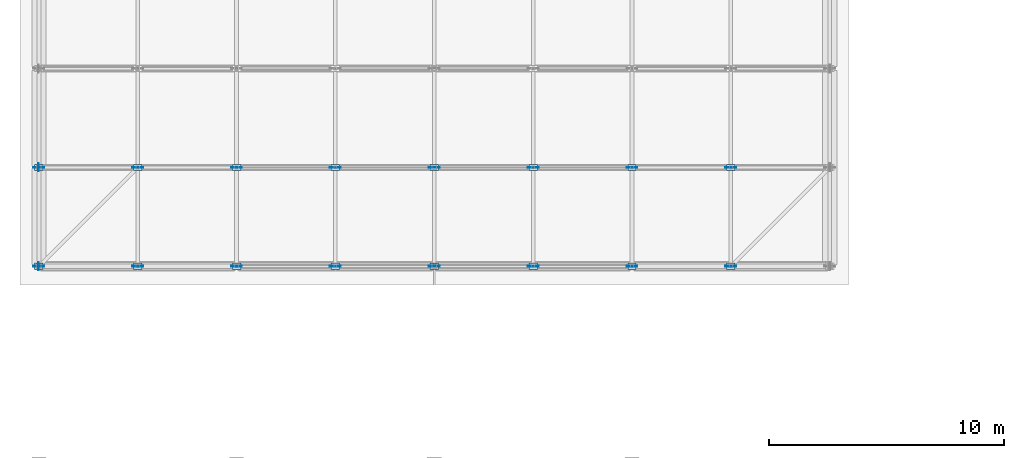
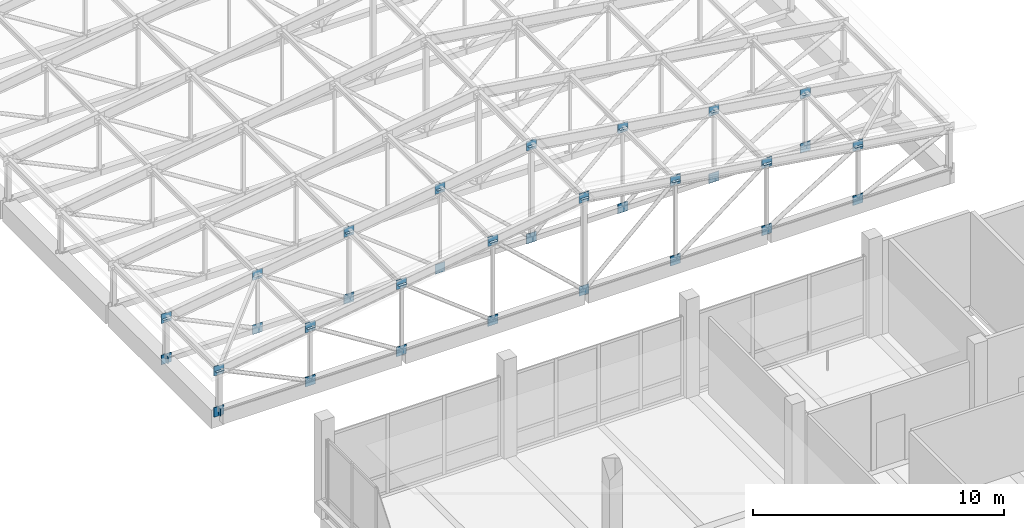
# One storey, part 48 of 122: 50 plates.
"""IFC4 building model written with IfcOpenShell, lengths in metres."""

import ifcopenshell
import ifcopenshell.guid

model = None  # the IFC model being written
_history = None  # IfcOwnerHistory: only IFC2X3 demands one
_inside = {}  # id of a spatial element -> (the spatial element, [elements in it])
_under = {}  # id of a project, library or spatial element -> (it, [spatial elements below it])
_declared = {}  # id of a project -> (the project, [libraries it declares])
_typed = {}  # id of a type object -> (the type object, [elements of that type])
_made_of = {}  # id of a material, layer set ... -> (it, [elements and type objects made of it])


def new_model(schema):
    """Start an empty IFC model of exactly this schema.

    Asked for "IFC4X3", IfcOpenShell would pick the latest addendum, in which some entities
    have other attributes; the version numbers below select the first issue.
    IFC2X3 requires an IfcOwnerHistory on every rooted entity: one is made here for all.
    """
    global model, _history
    if schema == "IFC4X3":
        model = ifcopenshell.file(schema_version=(4, 3, 0, 0))
    else:
        model = ifcopenshell.file(schema=schema)
    _inside.clear()
    _under.clear()
    _declared.clear()
    _typed.clear()
    _made_of.clear()
    _history = None
    if model.schema == "IFC2X3":
        org = make("IfcOrganization", Name="unknown")
        user = make(
            "IfcPersonAndOrganization",
            ThePerson=make("IfcPerson", FamilyName="unknown"),
            TheOrganization=org,
        )
        app = make(
            "IfcApplication",
            ApplicationDeveloper=org,
            Version="unknown",
            ApplicationFullName="unknown",
            ApplicationIdentifier="unknown",
        )
        _history = make(
            "IfcOwnerHistory",
            OwningUser=user,
            OwningApplication=app,
            ChangeAction="ADDED",
            CreationDate=0,
        )
    return model


def make(cls, **values):
    """One entity of the class cls with the attributes given. An attribute that is None is left unset."""
    return model.create_entity(
        cls, **{name: value for name, value in values.items() if value is not None}
    )


def rooted(cls, **values):
    """An entity with a GlobalId (a new one), such as an element, a storey or a relation."""
    return make(cls, GlobalId=ifcopenshell.guid.new(), OwnerHistory=_history, **values)


def si_unit(unit_type, name, prefix=None):
    """IfcSIUnit, for example si_unit("LENGTHUNIT", "METRE", prefix="MILLI")."""
    return make("IfcSIUnit", UnitType=unit_type, Prefix=prefix, Name=name)


def assignment(units):
    """IfcUnitAssignment: the units of a project."""
    return None if units is None else make("IfcUnitAssignment", Units=units)


def point(xyz):
    """IfcCartesianPoint."""
    return None if xyz is None else make("IfcCartesianPoint", Coordinates=xyz)


def direction(xyz):
    """IfcDirection."""
    return None if xyz is None else make("IfcDirection", DirectionRatios=xyz)


def frame(location, z_axis=None, x_axis=None):
    """IfcAxis2Placement3D, a coordinate frame: its origin and axes. An axis left out is left unset."""
    return make(
        "IfcAxis2Placement3D",
        Location=point(location),
        Axis=direction(z_axis),
        RefDirection=direction(x_axis),
    )


def frame_2d(location, x_axis=None):
    """IfcAxis2Placement2D, a coordinate frame in the plane: its origin and x axis."""
    return make(
        "IfcAxis2Placement2D", Location=point(location), RefDirection=direction(x_axis)
    )


def origin():
    """The frame at (0, 0, 0) with its axes left unset."""
    return frame((0.0, 0.0, 0.0))


def origin_2d():
    """The frame at (0, 0) in the plane with its x axis left unset."""
    return frame_2d((0.0, 0.0))


def place(relative_to, where):
    """IfcLocalPlacement: puts the frame where relative to a parent placement (None: the world)."""
    return make(
        "IfcLocalPlacement", PlacementRelTo=relative_to, RelativePlacement=where
    )


def context(
    kind, dimensions, precision=None, world=None, true_north=None, identifier=None
):
    """IfcGeometricRepresentationContext, for example the 3D "Model" context."""
    return make(
        "IfcGeometricRepresentationContext",
        ContextIdentifier=identifier,
        ContextType=kind,
        CoordinateSpaceDimension=dimensions,
        Precision=precision,
        WorldCoordinateSystem=world,
        TrueNorth=true_north,
    )


def subcontext(parent, identifier, kind, view, scale=None):
    """IfcGeometricRepresentationSubContext, for example "Body" below "Model"."""
    return make(
        "IfcGeometricRepresentationSubContext",
        ContextIdentifier=identifier,
        ContextType=kind,
        ParentContext=parent,
        TargetScale=scale,
        TargetView=view,
    )


def project(units=None, contexts=None):
    """IfcProject with its units and contexts."""
    return rooted(
        "IfcProject",
        Name="project",
        RepresentationContexts=contexts,
        UnitsInContext=assignment(units),
    )


def spatial(cls, under=None, at=None, **own):
    """A site, building, storey or space (cls), placed at a placement, below another one or the project."""
    s = rooted(cls, ObjectPlacement=at, **own)
    if under is not None:
        _under.setdefault(under.id(), (under, []))[1].append(s)
    return s


def profile(cls, at=None, kind="AREA", **sizes):
    """A parametric profile (cls). Its sizes go by their IFC names, for example OverallWidth=200.0."""
    return make(cls, ProfileType=kind, Position=at, **sizes)


def rectangle(**sizes):
    """IfcRectangleProfileDef."""
    return profile("IfcRectangleProfileDef", **sizes)


def extrude(swept, where, along, depth):
    """IfcExtrudedAreaSolid: the profile swept, set in the frame where, extruded along a direction by depth."""
    return make(
        "IfcExtrudedAreaSolid",
        SweptArea=swept,
        Position=where,
        ExtrudedDirection=direction(along),
        Depth=depth,
    )


def shape(context_of_items, identifier, shape_type, items):
    """IfcShapeRepresentation: the items that make up one representation, for example the "Body"."""
    return make(
        "IfcShapeRepresentation",
        ContextOfItems=context_of_items,
        RepresentationIdentifier=identifier,
        RepresentationType=shape_type,
        Items=items,
    )


def material(Name=None, Category=None):
    """IfcMaterial."""
    return make("IfcMaterial", Name=Name, Category=Category)


def layer(
    of_material, thickness, ventilated=None, Name=None, Category=None, Priority=None
):
    """IfcMaterialLayer: one layer of a wall or slab, of a material (None: an air gap)."""
    return make(
        "IfcMaterialLayer",
        Material=of_material,
        LayerThickness=thickness,
        IsVentilated=ventilated,
        Name=Name,
        Category=Category,
        Priority=Priority,
    )


def layer_set(layers, Name=None):
    """IfcMaterialLayerSet."""
    return make("IfcMaterialLayerSet", MaterialLayers=layers, LayerSetName=Name)


def made_of(thing, what):
    """Note that an element or type object is made of a material, layer set ...; save() writes the relation."""
    if what is not None:
        _made_of.setdefault(what.id(), (what, []))[1].append(thing)
    return thing


def type_object(cls, material=None, **own):
    """A type object (cls), such as IfcWallType, which elements share."""
    return made_of(rooted(cls, **own), material)


def element(
    cls,
    number,
    at=None,
    inside=None,
    cuts=None,
    type_object=None,
    material=None,
    context=None,
    identifier="Body",
    shape_type=None,
    held_by="IfcProductDefinitionShape",
    body=None,
    shapes=None,
    **own,
):
    """One element of the class cls, such as IfcWall. Its Tag is "e" and its number.

    at: its placement. inside: the storey or other place that contains it. cuts: it is an
    opening in that element (IfcRelVoidsElement). A single representation is given by context,
    identifier, shape_type and body (its items); several are given by shapes. held_by: the class
    of the entity that holds the representations. save() writes the other relations.
    """
    e = rooted(cls, Tag="e%d" % number, ObjectPlacement=at, **own)
    if body is not None:
        shapes = [shape(context, identifier, shape_type, body)]
    if shapes is not None:
        e.Representation = make(held_by, Representations=shapes)
    if inside is not None:
        _inside.setdefault(inside.id(), (inside, []))[1].append(e)
    if cuts is not None:
        rooted(
            "IfcRelVoidsElement", RelatingBuildingElement=cuts, RelatedOpeningElement=e
        )
    if type_object is not None:
        _typed.setdefault(type_object.id(), (type_object, []))[1].append(e)
    return made_of(e, material)


def aggregate(whole, parts):
    """IfcRelAggregates: a whole, such as a stair, and the parts it consists of."""
    return rooted("IfcRelAggregates", RelatingObject=whole, RelatedObjects=parts)


def save(model, path):
    """Write the relations noted so far, then the file.

    IfcRelAggregates (storeys below a building ...), IfcRelContainedInSpatialStructure (elements
    in a storey), IfcRelDefinesByType, IfcRelAssociatesMaterial and IfcRelDeclares: one each for
    every whole, place, type object, material and project.
    """
    for whole, parts in _under.values():
        aggregate(whole, parts)
    for where, things in _inside.values():
        rooted(
            "IfcRelContainedInSpatialStructure",
            RelatedElements=things,
            RelatingStructure=where,
        )
    for kind, things in _typed.values():
        rooted("IfcRelDefinesByType", RelatedObjects=things, RelatingType=kind)
    for what, things in _made_of.values():
        rooted("IfcRelAssociatesMaterial", RelatedObjects=things, RelatingMaterial=what)
    for by, libraries in _declared.values():
        rooted("IfcRelDeclares", RelatingContext=by, RelatedDefinitions=libraries)
    model.write(path)


model = new_model("IFC4")

# Units and contexts
model_context = context("Model", 3, precision=1e-05, world=origin(), true_north=direction((0.0, 1.0)))
body_context = subcontext(model_context, "Body", "Model", "MODEL_VIEW")
ifc_project = project(units=[si_unit("LENGTHUNIT", "METRE"), si_unit("AREAUNIT", "SQUARE_METRE"), si_unit("VOLUMEUNIT", "CUBIC_METRE"), si_unit("PLANEANGLEUNIT", "RADIAN"), si_unit("MASSUNIT", "GRAM", prefix="KILO")], contexts=[model_context])

# Site, building, storey
site_placement = place(None, origin())
site = spatial("IfcSite", under=ifc_project, at=site_placement, CompositionType="ELEMENT")
building_placement = place(site_placement, origin())
building = spatial("IfcBuilding", under=site, at=building_placement, Name="Telukmera Botanical Conservatory", CompositionType="ELEMENT")
storey_placement = place(building_placement, frame((0.0, 0.0, 10.199951171875)))
storey = spatial("IfcBuildingStorey", under=building, at=storey_placement, Name="L02", CompositionType="ELEMENT", Elevation=10.199951171875)

# Plates
ifc_material = material(Name="Steel S355", Category="steel")
ifc_layer_1 = layer(ifc_material, 0.01611328125)
ifc_layer_set_1 = layer_set([ifc_layer_1], Name="Steel S355")
plate_type_1 = type_object("IfcPlateType", Name="Plate_CP1", PredefinedType="USERDEFINED", material=ifc_layer_set_1)
for number, where, z_axis, x_axis, name in (
    (1, (8.39990234375, 83.199951171875, 1.89404296875), (0.0, 0.0, 1.0), (1.0, 0.0, 0.0), "CP1 Truss Chord Node Cap Plate T1-T0"),
    (2, (12.60009765625, 83.199951171875, 2.521728515625), (0.0, 0.0, 1.0), (1.0, 0.0, 0.0), "CP1 Truss Chord Node Cap Plate T1-T1"),
    (3, (16.800048828125, 83.199951171875, 3.1494140625), (0.0, 0.0, 1.0), (1.0, 0.0, 0.0), "CP1 Truss Chord Node Cap Plate T1-T2"),
    (4, (21.0, 83.199951171875, 3.777099609375), (0.0, 0.0, 1.0), (1.0, 0.0, 0.0), "CP1 Truss Chord Node Cap Plate T1-T3"),
    (5, (25.199951171875, 83.199951171875, 4.40478515625), (0.0, 0.0, 1.0), (1.0, 0.0, 0.0), "CP1 Truss Chord Node Cap Plate T1-T4"),
    (6, (29.39990234375, 83.199951171875, 3.777099609375), (0.0, 0.0, 1.0), (1.0, 0.0, 0.0), "CP1 Truss Chord Node Cap Plate T1-T5"),
    (7, (33.60009765625, 83.199951171875, 3.1494140625), (0.0, 0.0, 1.0), (1.0, 0.0, 0.0), "CP1 Truss Chord Node Cap Plate T1-T6"),
    (8, (37.800048828125, 83.199951171875, 2.521728515625), (0.0, 0.0, 1.0), (1.0, 0.0, 0.0), "CP1 Truss Chord Node Cap Plate T1-T7"),
):
    element("IfcPlate", number, at=place(storey_placement, frame(where, z_axis=z_axis, x_axis=x_axis)), inside=storey, type_object=plate_type_1, Name=name, ObjectType="CAP_PLATE", PredefinedType="USERDEFINED", context=body_context, shape_type="SweptSolid", body=[
        extrude(rectangle(XDim=0.360107421875, YDim=0.260009765625, at=origin_2d()), origin(), (0.0, 0.0, 1.0), 0.01611328125),
    ])
plate_1_placement = place(storey_placement, frame((8.39208984375, 83.199951171875, -0.25), z_axis=(0.0, 0.0, 1.0), x_axis=(1.0, 0.0, 0.0)))
element("IfcPlate", 9, at=plate_1_placement, inside=storey, type_object=plate_type_1, Name="CP1 Truss Bottom Chord End Cap T1-W", ObjectType="CAP_PLATE", PredefinedType="USERDEFINED", context=body_context, shape_type="SweptSolid", body=[
    extrude(rectangle(XDim=0.01611328125, YDim=0.340087890625, at=origin_2d()), origin(), (0.0, 0.0, 1.0), 0.340087890625),
])
for number, where, z_axis, x_axis, name in (
    (10, (8.39990234375, 87.39990234375, 1.89404296875), (0.0, 0.0, 1.0), (1.0, 0.0, 0.0), "CP1 Truss Chord Node Cap Plate T2-T0"),
    (11, (12.60009765625, 87.39990234375, 2.521728515625), (0.0, 0.0, 1.0), (1.0, 0.0, 0.0), "CP1 Truss Chord Node Cap Plate T2-T1"),
    (12, (16.800048828125, 87.39990234375, 3.1494140625), (0.0, 0.0, 1.0), (1.0, 0.0, 0.0), "CP1 Truss Chord Node Cap Plate T2-T2"),
    (13, (21.0, 87.39990234375, 3.777099609375), (0.0, 0.0, 1.0), (1.0, 0.0, 0.0), "CP1 Truss Chord Node Cap Plate T2-T3"),
    (14, (25.199951171875, 87.39990234375, 4.40478515625), (0.0, 0.0, 1.0), (1.0, 0.0, 0.0), "CP1 Truss Chord Node Cap Plate T2-T4"),
    (15, (29.39990234375, 87.39990234375, 3.777099609375), (0.0, 0.0, 1.0), (1.0, 0.0, 0.0), "CP1 Truss Chord Node Cap Plate T2-T5"),
    (16, (33.60009765625, 87.39990234375, 3.1494140625), (0.0, 0.0, 1.0), (1.0, 0.0, 0.0), "CP1 Truss Chord Node Cap Plate T2-T6"),
    (17, (37.800048828125, 87.39990234375, 2.521728515625), (0.0, 0.0, 1.0), (1.0, 0.0, 0.0), "CP1 Truss Chord Node Cap Plate T2-T7"),
):
    element("IfcPlate", number, at=place(storey_placement, frame(where, z_axis=z_axis, x_axis=x_axis)), inside=storey, type_object=plate_type_1, Name=name, ObjectType="CAP_PLATE", PredefinedType="USERDEFINED", context=body_context, shape_type="SweptSolid", body=[
        extrude(rectangle(XDim=0.360107421875, YDim=0.260009765625, at=origin_2d()), origin(), (0.0, 0.0, 1.0), 0.01611328125),
    ])
plate_2_placement = place(storey_placement, frame((8.39208984375, 87.39990234375, -0.25), z_axis=(0.0, 0.0, 1.0), x_axis=(1.0, 0.0, 0.0)))
element("IfcPlate", 18, at=plate_2_placement, inside=storey, type_object=plate_type_1, Name="CP1 Truss Bottom Chord End Cap T2-W", ObjectType="CAP_PLATE", PredefinedType="USERDEFINED", context=body_context, shape_type="SweptSolid", body=[
    extrude(rectangle(XDim=0.01611328125, YDim=0.340087890625, at=origin_2d()), origin(), (0.0, 0.0, 1.0), 0.340087890625),
])
ifc_layer_2 = layer(ifc_material, 0.028076171875)
ifc_layer_set_2 = layer_set([ifc_layer_2], Name="Steel S355")
plate_type_2 = type_object("IfcPlateType", Name="Plate_TP1", PredefinedType="USERDEFINED", material=ifc_layer_set_2)
for number, where, z_axis, x_axis, name in (
    (19, (8.39990234375, 83.199951171875, -0.309814453125), (0.0, 0.0, 1.0), (1.0, 0.0, 0.0), "TP1 Auditorium Truss Welded Node T1-B0"),
    (20, (8.39990234375, 83.199951171875, 1.690185546875), (0.0, 0.0, 1.0), (1.0, 0.0, 0.0), "TP1 Auditorium Truss Welded Node T1-T0"),
    (21, (12.60009765625, 83.199951171875, -0.309814453125), (0.0, 0.0, 1.0), (1.0, 0.0, 0.0), "TP1 Auditorium Truss Welded Node T1-B1"),
    (22, (12.60009765625, 83.199951171875, 2.31787109375), (0.0, 0.0, 1.0), (1.0, 0.0, 0.0), "TP1 Auditorium Truss Welded Node T1-T1"),
    (23, (16.800048828125, 83.199951171875, -0.309814453125), (0.0, 0.0, 1.0), (1.0, 0.0, 0.0), "TP1 Auditorium Truss Welded Node T1-B2"),
    (24, (16.800048828125, 83.199951171875, 2.945556640625), (0.0, 0.0, 1.0), (1.0, 0.0, 0.0), "TP1 Auditorium Truss Welded Node T1-T2"),
    (25, (21.0, 83.199951171875, -0.309814453125), (0.0, 0.0, 1.0), (1.0, 0.0, 0.0), "TP1 Auditorium Truss Welded Node T1-B3"),
    (26, (21.0, 83.199951171875, 3.5732421875), (0.0, 0.0, 1.0), (1.0, 0.0, 0.0), "TP1 Auditorium Truss Welded Node T1-T3"),
    (27, (25.199951171875, 83.199951171875, -0.309814453125), (0.0, 0.0, 1.0), (1.0, 0.0, 0.0), "TP1 Auditorium Truss Welded Node T1-B4"),
    (28, (25.199951171875, 83.199951171875, 4.200927734375), (0.0, 0.0, 1.0), (1.0, 0.0, 0.0), "TP1 Auditorium Truss Welded Node T1-T4"),
    (29, (29.39990234375, 83.199951171875, -0.309814453125), (0.0, 0.0, 1.0), (1.0, 0.0, 0.0), "TP1 Auditorium Truss Welded Node T1-B5"),
    (30, (29.39990234375, 83.199951171875, 3.5732421875), (0.0, 0.0, 1.0), (1.0, 0.0, 0.0), "TP1 Auditorium Truss Welded Node T1-T5"),
    (31, (33.60009765625, 83.199951171875, -0.309814453125), (0.0, 0.0, 1.0), (1.0, 0.0, 0.0), "TP1 Auditorium Truss Welded Node T1-B6"),
    (32, (33.60009765625, 83.199951171875, 2.945556640625), (0.0, 0.0, 1.0), (1.0, 0.0, 0.0), "TP1 Auditorium Truss Welded Node T1-T6"),
    (33, (37.800048828125, 83.199951171875, -0.309814453125), (0.0, 0.0, 1.0), (1.0, 0.0, 0.0), "TP1 Auditorium Truss Welded Node T1-B7"),
    (34, (37.800048828125, 83.199951171875, 2.31787109375), (0.0, 0.0, 1.0), (1.0, 0.0, 0.0), "TP1 Auditorium Truss Welded Node T1-T7"),
    (35, (8.39990234375, 87.39990234375, -0.309814453125), (0.0, 0.0, 1.0), (1.0, 0.0, 0.0), "TP1 Auditorium Truss Welded Node T2-B0"),
    (36, (8.39990234375, 87.39990234375, 1.690185546875), (0.0, 0.0, 1.0), (1.0, 0.0, 0.0), "TP1 Auditorium Truss Welded Node T2-T0"),
    (37, (12.60009765625, 87.39990234375, -0.309814453125), (0.0, 0.0, 1.0), (1.0, 0.0, 0.0), "TP1 Auditorium Truss Welded Node T2-B1"),
    (38, (12.60009765625, 87.39990234375, 2.31787109375), (0.0, 0.0, 1.0), (1.0, 0.0, 0.0), "TP1 Auditorium Truss Welded Node T2-T1"),
    (39, (16.800048828125, 87.39990234375, -0.309814453125), (0.0, 0.0, 1.0), (1.0, 0.0, 0.0), "TP1 Auditorium Truss Welded Node T2-B2"),
    (40, (16.800048828125, 87.39990234375, 2.945556640625), (0.0, 0.0, 1.0), (1.0, 0.0, 0.0), "TP1 Auditorium Truss Welded Node T2-T2"),
    (41, (21.0, 87.39990234375, -0.309814453125), (0.0, 0.0, 1.0), (1.0, 0.0, 0.0), "TP1 Auditorium Truss Welded Node T2-B3"),
    (42, (21.0, 87.39990234375, 3.5732421875), (0.0, 0.0, 1.0), (1.0, 0.0, 0.0), "TP1 Auditorium Truss Welded Node T2-T3"),
    (43, (25.199951171875, 87.39990234375, -0.309814453125), (0.0, 0.0, 1.0), (1.0, 0.0, 0.0), "TP1 Auditorium Truss Welded Node T2-B4"),
    (44, (25.199951171875, 87.39990234375, 4.200927734375), (0.0, 0.0, 1.0), (1.0, 0.0, 0.0), "TP1 Auditorium Truss Welded Node T2-T4"),
    (45, (29.39990234375, 87.39990234375, -0.309814453125), (0.0, 0.0, 1.0), (1.0, 0.0, 0.0), "TP1 Auditorium Truss Welded Node T2-B5"),
    (46, (29.39990234375, 87.39990234375, 3.5732421875), (0.0, 0.0, 1.0), (1.0, 0.0, 0.0), "TP1 Auditorium Truss Welded Node T2-T5"),
    (47, (33.60009765625, 87.39990234375, -0.309814453125), (0.0, 0.0, 1.0), (1.0, 0.0, 0.0), "TP1 Auditorium Truss Welded Node T2-B6"),
    (48, (33.60009765625, 87.39990234375, 2.945556640625), (0.0, 0.0, 1.0), (1.0, 0.0, 0.0), "TP1 Auditorium Truss Welded Node T2-T6"),
    (49, (37.800048828125, 87.39990234375, -0.309814453125), (0.0, 0.0, 1.0), (1.0, 0.0, 0.0), "TP1 Auditorium Truss Welded Node T2-B7"),
    (50, (37.800048828125, 87.39990234375, 2.31787109375), (0.0, 0.0, 1.0), (1.0, 0.0, 0.0), "TP1 Auditorium Truss Welded Node T2-T7"),
):
    element("IfcPlate", number, at=place(storey_placement, frame(where, z_axis=z_axis, x_axis=x_axis)), inside=storey, type_object=plate_type_2, Name=name, ObjectType="GUSSET_PLATE", PredefinedType="USERDEFINED", context=body_context, shape_type="SweptSolid", body=[
        extrude(rectangle(XDim=0.4599609375, YDim=0.028076171875, at=origin_2d()), origin(), (0.0, 0.0, 1.0), 0.4599609375),
    ])

save(model, "model.ifc")
